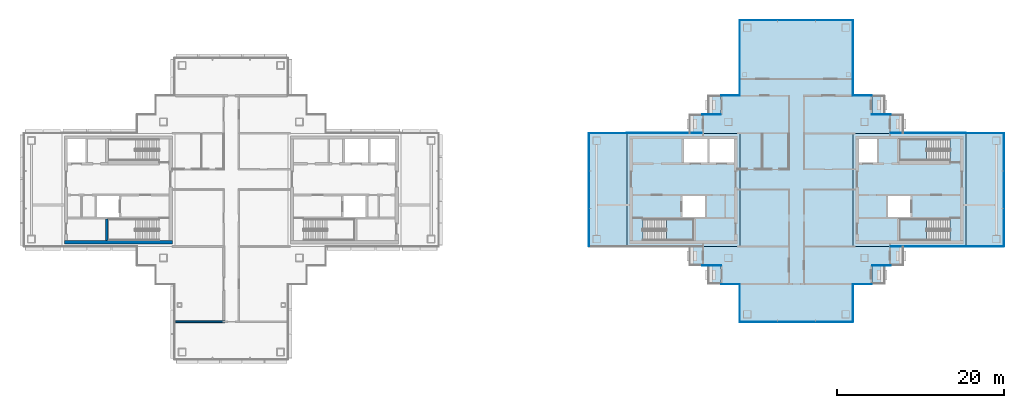
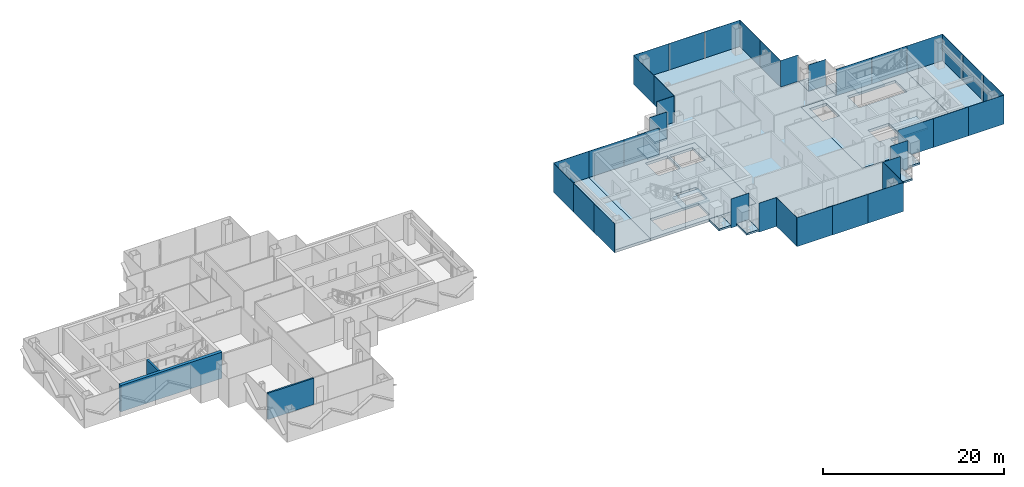
# One storey, part 8 of 17: 35 plates, 16 slabs, 3 walls, 21 elements without a shape of their own.
"""IFC4 building model written with IfcOpenShell, lengths in metres."""

from ifc_helpers import new_model, si_unit, direction, frame, frame_2d, origin, origin_2d, place, context, subcontext, project, spatial, polyline, rectangle, outline, extrude, material, layer, layer_set, type_object, element, aggregate, save


model = new_model("IFC4")

# Units and contexts
model_context = context("Model", 3, precision=1e-05, world=origin(), true_north=direction((0.0, 1.0)))
body_context = subcontext(model_context, "Body", "Model", "MODEL_VIEW")
ifc_project = project(units=[si_unit("LENGTHUNIT", "METRE"), si_unit("AREAUNIT", "SQUARE_METRE"), si_unit("VOLUMEUNIT", "CUBIC_METRE"), si_unit("PLANEANGLEUNIT", "RADIAN"), si_unit("MASSUNIT", "GRAM", prefix="KILO")], contexts=[model_context])

# Site, building, storey
site_placement = place(None, origin())
site = spatial("IfcSite", under=ifc_project, at=site_placement, CompositionType="ELEMENT")
building_placement = place(site_placement, origin())
building = spatial("IfcBuilding", under=site, at=building_placement, Name="Shamsa Quay Exchange Towers", CompositionType="ELEMENT")
storey_placement = place(building_placement, frame((0.0, 0.0, 230.39990234375)))
storey = spatial("IfcBuildingStorey", under=building, at=storey_placement, Name="L55", CompositionType="ELEMENT", Elevation=230.39990234375)

# Slabs
ifc_material_1 = material(Name="Precast concrete C40/50", Category="concrete")
ifc_layer_1 = layer(ifc_material_1, 0.25)
ifc_layer_set_1 = layer_set([ifc_layer_1], Name="BALCONY SLAB 250")
slab_type_1 = type_object("IfcSlabType", Name="BALCONY SLAB 250", PredefinedType="FLOOR", material=ifc_layer_set_1)
slab_1_placement = place(storey_placement, frame((0.0, 0.0, -0.25)))
element("IfcSlab", 1, at=slab_1_placement, inside=storey, type_object=slab_type_1, Name="Balcony T2-PKEN L55", PredefinedType="FLOOR", context=body_context, shape_type="SweptSolid", body=[
    extrude(outline(polyline([(24.75, 11.25), (24.75, 9.0380859375), (23.199951171875, 9.0380859375), (23.199951171875, 11.25), (24.75, 11.25)])), origin(), (0.0, 0.0, 1.0), 0.25),
])
slab_2_placement = place(storey_placement, frame((0.0, 0.0, -0.25)))
element("IfcSlab", 2, at=slab_2_placement, inside=storey, type_object=slab_type_1, Name="Balcony T2-PKEN L55", PredefinedType="FLOOR", context=body_context, shape_type="SweptSolid", body=[
    extrude(outline(polyline([(22.5, 9.0), (22.5, 6.7880859375), (20.949951171875, 6.7880859375), (20.949951171875, 9.0), (22.5, 9.0)])), origin(), (0.0, 0.0, 1.0), 0.25),
])
slab_3_placement = place(storey_placement, frame((0.0, 0.0, -0.25)))
element("IfcSlab", 3, at=slab_3_placement, inside=storey, type_object=slab_type_1, Name="Balcony T2-PKES L55", PredefinedType="FLOOR", context=body_context, shape_type="SweptSolid", body=[
    extrude(outline(polyline([(42.75, 9.0380859375), (42.75, 11.25), (44.300048828125, 11.25), (44.300048828125, 9.0380859375), (42.75, 9.0380859375)])), origin(), (0.0, 0.0, 1.0), 0.25),
])
slab_4_placement = place(storey_placement, frame((0.0, 0.0, -0.25)))
element("IfcSlab", 4, at=slab_4_placement, inside=storey, type_object=slab_type_1, Name="Balcony T2-PKES L55", PredefinedType="FLOOR", context=body_context, shape_type="SweptSolid", body=[
    extrude(outline(polyline([(45.0, 6.7880859375), (45.0, 9.0), (46.550048828125, 9.0), (46.550048828125, 6.7880859375), (45.0, 6.7880859375)])), origin(), (0.0, 0.0, 1.0), 0.25),
])
slab_5_placement = place(storey_placement, frame((0.0, 0.0, -0.25)))
element("IfcSlab", 5, at=slab_5_placement, inside=storey, type_object=slab_type_1, Name="Balcony T2-PKWN L55", PredefinedType="FLOOR", context=body_context, shape_type="SweptSolid", body=[
    extrude(outline(polyline([(22.5, -6.7880859375), (22.5, -9.0), (20.949951171875, -9.0), (20.949951171875, -6.7880859375), (22.5, -6.7880859375)])), origin(), (0.0, 0.0, 1.0), 0.25),
])
slab_6_placement = place(storey_placement, frame((0.0, 0.0, -0.25)))
element("IfcSlab", 6, at=slab_6_placement, inside=storey, type_object=slab_type_1, Name="Balcony T2-PKWN L55", PredefinedType="FLOOR", context=body_context, shape_type="SweptSolid", body=[
    extrude(outline(polyline([(24.75, -9.0380859375), (24.75, -11.25), (23.199951171875, -11.25), (23.199951171875, -9.0380859375), (24.75, -9.0380859375)])), origin(), (0.0, 0.0, 1.0), 0.25),
])
slab_7_placement = place(storey_placement, frame((0.0, 0.0, -0.25)))
element("IfcSlab", 7, at=slab_7_placement, inside=storey, type_object=slab_type_1, Name="Balcony T2-PKWS L55", PredefinedType="FLOOR", context=body_context, shape_type="SweptSolid", body=[
    extrude(outline(polyline([(42.75, -11.25), (42.75, -9.0380859375), (44.300048828125, -9.0380859375), (44.300048828125, -11.25), (42.75, -11.25)])), origin(), (0.0, 0.0, 1.0), 0.25),
])
slab_8_placement = place(storey_placement, frame((0.0, 0.0, -0.25)))
element("IfcSlab", 8, at=slab_8_placement, inside=storey, type_object=slab_type_1, Name="Balcony T2-PKWS L55", PredefinedType="FLOOR", context=body_context, shape_type="SweptSolid", body=[
    extrude(outline(polyline([(45.0, -9.0), (45.0, -6.7880859375), (46.550048828125, -6.7880859375), (46.550048828125, -9.0), (45.0, -9.0)])), origin(), (0.0, 0.0, 1.0), 0.25),
])
ifc_material_2 = material(Name="Concrete C50/60", Category="concrete")
ifc_layer_2 = layer(ifc_material_2, 0.35009765625)
ifc_layer_set_2 = layer_set([ifc_layer_2], Name="CORE FLOOR 350 C50/60")
slab_type_2 = type_object("IfcSlabType", Name="CORE FLOOR 350 C50/60", PredefinedType="FLOOR", material=ifc_layer_set_2)
slab_9_placement = place(storey_placement, frame((0.0, 0.0, -0.349853515625)))
element("IfcSlab", 9, at=slab_9_placement, inside=storey, type_object=slab_type_2, Name="Core floor T2A", PredefinedType="FLOOR", context=body_context, shape_type="SweptSolid", body=[
    extrude(outline(polyline([(13.5, -6.75), (27.0, -6.75), (27.0, 6.75), (13.5, 6.75), (13.5, -6.75)]), holes=[polyline([(15.400634765625, -6.050048828125), (15.400634765625, -3.5), (21.5, -3.5), (21.5, -6.050048828125), (15.400634765625, -6.050048828125)]), polyline([(20.300048828125, 3.25), (20.300048828125, 6.050048828125), (23.10009765625, 6.050048828125), (23.10009765625, 3.25), (20.300048828125, 3.25)]), polyline([(23.35009765625, 3.25), (23.35009765625, 6.050048828125), (26.300048828125, 6.050048828125), (26.300048828125, 3.25), (23.35009765625, 3.25)]), polyline([(20.14990234375, -3.25), (20.14990234375, -0.75), (22.800048828125, -0.75), (22.800048828125, -3.25), (20.14990234375, -3.25)])]), origin(), (0.0, 0.0, 1.0), 0.349853515625),
])
slab_10_placement = place(storey_placement, frame((0.0, 0.0, -0.349853515625)))
element("IfcSlab", 10, at=slab_10_placement, inside=storey, type_object=slab_type_2, Name="Core floor T2B", PredefinedType="FLOOR", context=body_context, shape_type="SweptSolid", body=[
    extrude(outline(polyline([(54.0, -6.75), (54.0, 6.75), (40.5, 6.75), (40.5, -6.75), (54.0, -6.75)]), holes=[polyline([(52.099365234375, -3.5), (52.099365234375, -6.050048828125), (46.0, -6.050048828125), (46.0, -3.5), (52.099365234375, -3.5)]), polyline([(52.099365234375, 6.050048828125), (52.099365234375, 3.5), (46.0, 3.5), (46.0, 6.050048828125), (52.099365234375, 6.050048828125)]), polyline([(43.35009765625, 3.25), (41.199951171875, 3.25), (41.199951171875, 6.050048828125), (43.35009765625, 6.050048828125), (43.35009765625, 3.25)]), polyline([(47.35009765625, -3.25), (44.699951171875, -3.25), (44.699951171875, -0.75), (47.35009765625, -0.75), (47.35009765625, -3.25)])]), origin(), (0.0, 0.0, 1.0), 0.349853515625),
])

# Stair, slab
ifc_material_3 = material(Name="Concrete C40/50", Category="concrete")
stair_type = type_object("IfcStairType", Name="EXIT STAIR 22 RISERS 177 MM", PredefinedType="HALF_TURN_STAIR", material=ifc_material_3)
stair_1_placement = place(storey_placement, origin())
stair_1 = element("IfcStair", 11, at=stair_1_placement, inside=storey, type_object=stair_type, Name="L55 Exit stair ST4", PredefinedType="HALF_TURN_STAIR")
ifc_layer_3 = layer(ifc_material_3, 0.199951171875)
ifc_layer_set_3 = layer_set([ifc_layer_3], Name="CORE STAIR LANDING")
slab_type_3 = type_object("IfcSlabType", Name="CORE STAIR LANDING", PredefinedType="LANDING", material=ifc_layer_set_3)
slab_11_placement = place(storey_placement, frame((0.0, 0.0, 1.75)))
slab_11 = element("IfcSlab", 12, at=slab_11_placement, type_object=slab_type_3, Name="ST4 landing 1", PredefinedType="LANDING", context=body_context, shape_type="SweptSolid", body=[
    extrude(outline(polyline([(18.199951171875, -6.050048828125), (21.5, -6.050048828125), (21.5, -3.5), (18.199951171875, -3.5), (18.199951171875, -6.050048828125)])), origin(), (0.0, 0.0, 1.0), 0.2001953125),
])
aggregate(stair_1, [slab_11])

stair_2_placement = place(storey_placement, origin())
stair_2 = element("IfcStair", 13, at=stair_2_placement, inside=storey, type_object=stair_type, Name="L55 Exit stair ST5", PredefinedType="HALF_TURN_STAIR")
slab_12_placement = place(storey_placement, frame((0.0, 0.0, 1.75)))
slab_12 = element("IfcSlab", 14, at=slab_12_placement, type_object=slab_type_3, Name="ST5 landing 1", PredefinedType="LANDING", context=body_context, shape_type="SweptSolid", body=[
    extrude(outline(polyline([(49.300048828125, -3.5), (46.0, -3.5), (46.0, -6.050048828125), (49.300048828125, -6.050048828125), (49.300048828125, -3.5)])), origin(), (0.0, 0.0, 1.0), 0.2001953125),
])
aggregate(stair_2, [slab_12])

stair_3_placement = place(storey_placement, origin())
stair_3 = element("IfcStair", 15, at=stair_3_placement, inside=storey, type_object=stair_type, Name="L55 Exit stair ST6", PredefinedType="HALF_TURN_STAIR")
slab_13_placement = place(storey_placement, frame((0.0, 0.0, 1.75)))
slab_13 = element("IfcSlab", 16, at=slab_13_placement, type_object=slab_type_3, Name="ST6 landing 1", PredefinedType="LANDING", context=body_context, shape_type="SweptSolid", body=[
    extrude(outline(polyline([(49.300048828125, 6.050048828125), (46.0, 6.050048828125), (46.0, 3.5), (49.300048828125, 3.5), (49.300048828125, 6.050048828125)])), origin(), (0.0, 0.0, 1.0), 0.2001953125),
])
aggregate(stair_3, [slab_13])

# Curtain wall, plate
ifc_material_4 = material(Name="Aluminium EN AW-6063 T6, black anodised", Category="aluminium")
ifc_layer_4 = layer(ifc_material_4, 0.280029296875)
ifc_layer_set_4 = layer_set([ifc_layer_4], Name="CW-1 UNITISED VISION GLASS")
curtain_wall_type_1 = type_object("IfcCurtainWallType", Name="CW-1 UNITISED VISION GLASS", PredefinedType="NOTDEFINED", material=ifc_layer_set_4)
curtain_wall_1_placement = place(storey_placement, origin())
curtain_wall_1 = element("IfcCurtainWall", 17, at=curtain_wall_1_placement, inside=storey, type_object=curtain_wall_type_1, Name="CW1 T2-FLK-V-W L55", PredefinedType="NOTDEFINED")
ifc_material_5 = material(Name="Glass, laminated, dark tinted", Category="glass")
ifc_layer_5 = layer(ifc_material_5, 0.0400390625)
ifc_layer_set_5 = layer_set([ifc_layer_5], Name="CW-1 VISION GLASS 40")
plate_type_1 = type_object("IfcPlateType", Name="CW-1 VISION GLASS 40", PredefinedType="CURTAIN_PANEL", material=ifc_layer_set_5)
plate_1_placement = place(storey_placement, frame((56.25, -6.77001953125, -0.349853515625)))
plate_1 = element("IfcPlate", 18, at=plate_1_placement, type_object=plate_type_1, Name="CW1 glass panel", PredefinedType="CURTAIN_PANEL", context=body_context, shape_type="SweptSolid", body=[
    extrude(rectangle(XDim=4.5, YDim=0.0400390625, at=origin_2d()), origin(), (0.0, 0.0, 1.0), 3.89990234375),
])
aggregate(curtain_wall_1, [plate_1])

# Curtain wall, plates
curtain_wall_2_placement = place(storey_placement, origin())
curtain_wall_2 = element("IfcCurtainWall", 19, at=curtain_wall_2_placement, inside=storey, type_object=curtain_wall_type_1, Name="CW1 T2-END-V- L55", PredefinedType="NOTDEFINED")
plate_2_placement = place(storey_placement, frame((58.52001953125, -4.50244140625, -0.349853515625), z_axis=(0.0, 0.0, 1.0), x_axis=(0.0, 1.0, 0.0)))
plate_2 = element("IfcPlate", 20, at=plate_2_placement, type_object=plate_type_1, Name="CW1 glass panel", PredefinedType="CURTAIN_PANEL", context=body_context, shape_type="SweptSolid", body=[
    extrude(rectangle(XDim=4.4951171875, YDim=0.0400390625, at=origin_2d()), origin(), (0.0, 0.0, 1.0), 3.89990234375),
])
plate_3_placement = place(storey_placement, frame((58.52001953125, 0.0, -0.349853515625), z_axis=(0.0, 0.0, 1.0), x_axis=(0.0, 1.0, 0.0)))
plate_3 = element("IfcPlate", 21, at=plate_3_placement, type_object=plate_type_1, Name="CW1 glass panel", PredefinedType="CURTAIN_PANEL", context=body_context, shape_type="SweptSolid", body=[
    extrude(rectangle(XDim=4.489990234375, YDim=0.0400390625, at=origin_2d()), origin(), (0.0, 0.0, 1.0), 3.89990234375),
])
plate_4_placement = place(storey_placement, frame((58.52001953125, 4.50244140625, -0.349853515625), z_axis=(0.0, 0.0, 1.0), x_axis=(0.0, 1.0, 0.0)))
plate_4 = element("IfcPlate", 22, at=plate_4_placement, type_object=plate_type_1, Name="CW1 glass panel", PredefinedType="CURTAIN_PANEL", context=body_context, shape_type="SweptSolid", body=[
    extrude(rectangle(XDim=4.4951171875, YDim=0.0400390625, at=origin_2d()), origin(), (0.0, 0.0, 1.0), 3.89990234375),
])
aggregate(curtain_wall_2, [plate_2, plate_3, plate_4])

# Curtain wall, plate
curtain_wall_3_placement = place(storey_placement, origin())
curtain_wall_3 = element("IfcCurtainWall", 23, at=curtain_wall_3_placement, inside=storey, type_object=curtain_wall_type_1, Name="CW1 T2-FLK-V-E L55", PredefinedType="NOTDEFINED")
plate_5_placement = place(storey_placement, frame((56.25, 6.77001953125, -0.349853515625), z_axis=(0.0, 0.0, 1.0), x_axis=(-1.0, 0.0, 0.0)))
plate_5 = element("IfcPlate", 24, at=plate_5_placement, type_object=plate_type_1, Name="CW1 glass panel", PredefinedType="CURTAIN_PANEL", context=body_context, shape_type="SweptSolid", body=[
    extrude(rectangle(XDim=4.5, YDim=0.0400390625, at=origin_2d()), origin(), (0.0, 0.0, 1.0), 3.89990234375),
])
aggregate(curtain_wall_3, [plate_5])

# Curtain wall, plates
curtain_wall_4_placement = place(storey_placement, origin())
curtain_wall_4 = element("IfcCurtainWall", 25, at=curtain_wall_4_placement, inside=storey, type_object=curtain_wall_type_1, Name="CW1 T2-FLK-U+S L55", PredefinedType="NOTDEFINED")
plate_6_placement = place(storey_placement, frame((40.52001953125, 13.52587890625, -0.349853515625), z_axis=(0.0, 0.0, 1.0), x_axis=(0.0, 1.0, 0.0)))
plate_6 = element("IfcPlate", 26, at=plate_6_placement, type_object=plate_type_1, Name="CW1 glass panel", PredefinedType="CURTAIN_PANEL", context=body_context, shape_type="SweptSolid", body=[
    extrude(rectangle(XDim=4.47607421875, YDim=0.0400390625, at=origin_2d()), origin(), (0.0, 0.0, 1.0), 3.89990234375),
])
plate_7_placement = place(storey_placement, frame((40.52001953125, 18.011962890625, -0.349853515625), z_axis=(0.0, 0.0, 1.0), x_axis=(0.0, 1.0, 0.0)))
plate_7 = element("IfcPlate", 27, at=plate_7_placement, type_object=plate_type_1, Name="CW1 glass panel", PredefinedType="CURTAIN_PANEL", context=body_context, shape_type="SweptSolid", body=[
    extrude(rectangle(XDim=4.47607421875, YDim=0.0400390625, at=origin_2d()), origin(), (0.0, 0.0, 1.0), 3.89990234375),
])
aggregate(curtain_wall_4, [plate_6, plate_7])

curtain_wall_5_placement = place(storey_placement, origin())
curtain_wall_5 = element("IfcCurtainWall", 28, at=curtain_wall_5_placement, inside=storey, type_object=curtain_wall_type_1, Name="CW1 T2-END-U+ L55", PredefinedType="NOTDEFINED")
plate_8_placement = place(storey_placement, frame((38.25244140625, 20.27001953125, -0.349853515625), z_axis=(0.0, 0.0, 1.0), x_axis=(-1.0, 0.0, 0.0)))
plate_8 = element("IfcPlate", 29, at=plate_8_placement, type_object=plate_type_1, Name="CW1 glass panel", PredefinedType="CURTAIN_PANEL", context=body_context, shape_type="SweptSolid", body=[
    extrude(rectangle(XDim=4.4951171875, YDim=0.0400390625, at=origin_2d()), origin(), (0.0, 0.0, 1.0), 3.89990234375),
])
plate_9_placement = place(storey_placement, frame((33.75, 20.27001953125, -0.349853515625), z_axis=(0.0, 0.0, 1.0), x_axis=(-1.0, 0.0, 0.0)))
plate_9 = element("IfcPlate", 30, at=plate_9_placement, type_object=plate_type_1, Name="CW1 glass panel", PredefinedType="CURTAIN_PANEL", context=body_context, shape_type="SweptSolid", body=[
    extrude(rectangle(XDim=4.489990234375, YDim=0.0400390625, at=origin_2d()), origin(), (0.0, 0.0, 1.0), 3.89990234375),
])
plate_10_placement = place(storey_placement, frame((29.24755859375, 20.27001953125, -0.349853515625), z_axis=(0.0, 0.0, 1.0), x_axis=(-1.0, 0.0, 0.0)))
plate_10 = element("IfcPlate", 31, at=plate_10_placement, type_object=plate_type_1, Name="CW1 glass panel", PredefinedType="CURTAIN_PANEL", context=body_context, shape_type="SweptSolid", body=[
    extrude(rectangle(XDim=4.4951171875, YDim=0.0400390625, at=origin_2d()), origin(), (0.0, 0.0, 1.0), 3.89990234375),
])
aggregate(curtain_wall_5, [plate_8, plate_9, plate_10])

curtain_wall_6_placement = place(storey_placement, origin())
curtain_wall_6 = element("IfcCurtainWall", 32, at=curtain_wall_6_placement, inside=storey, type_object=curtain_wall_type_1, Name="CW1 T2-FLK-U+N L55", PredefinedType="NOTDEFINED")
plate_11_placement = place(storey_placement, frame((26.97998046875, 18.00244140625, -0.349853515625), z_axis=(0.0, 0.0, 1.0), x_axis=(0.0, -1.0, 0.0)))
plate_11 = element("IfcPlate", 33, at=plate_11_placement, type_object=plate_type_1, Name="CW1 glass panel", PredefinedType="CURTAIN_PANEL", context=body_context, shape_type="SweptSolid", body=[
    extrude(rectangle(XDim=4.4951171875, YDim=0.0400390625, at=origin_2d()), origin(), (0.0, 0.0, 1.0), 3.89990234375),
])
plate_12_placement = place(storey_placement, frame((26.97998046875, 13.49755859375, -0.349853515625), z_axis=(0.0, 0.0, 1.0), x_axis=(0.0, -1.0, 0.0)))
plate_12 = element("IfcPlate", 34, at=plate_12_placement, type_object=plate_type_1, Name="CW1 glass panel", PredefinedType="CURTAIN_PANEL", context=body_context, shape_type="SweptSolid", body=[
    extrude(rectangle(XDim=4.4951171875, YDim=0.0400390625, at=origin_2d()), origin(), (0.0, 0.0, 1.0), 3.89990234375),
])
aggregate(curtain_wall_6, [plate_11, plate_12])

# Curtain wall, plate
curtain_wall_7_placement = place(storey_placement, origin())
curtain_wall_7 = element("IfcCurtainWall", 35, at=curtain_wall_7_placement, inside=storey, type_object=curtain_wall_type_1, Name="CW1 T2-FLK-V+E L55", PredefinedType="NOTDEFINED")
plate_13_placement = place(storey_placement, frame((11.25, 6.77001953125, -0.349853515625), z_axis=(0.0, 0.0, 1.0), x_axis=(-1.0, 0.0, 0.0)))
plate_13 = element("IfcPlate", 36, at=plate_13_placement, type_object=plate_type_1, Name="CW1 glass panel", PredefinedType="CURTAIN_PANEL", context=body_context, shape_type="SweptSolid", body=[
    extrude(rectangle(XDim=4.5, YDim=0.0400390625, at=origin_2d()), origin(), (0.0, 0.0, 1.0), 3.89990234375),
])
aggregate(curtain_wall_7, [plate_13])

# Curtain wall, plates
curtain_wall_8_placement = place(storey_placement, origin())
curtain_wall_8 = element("IfcCurtainWall", 37, at=curtain_wall_8_placement, inside=storey, type_object=curtain_wall_type_1, Name="CW1 T2-END-V+ L55", PredefinedType="NOTDEFINED")
plate_14_placement = place(storey_placement, frame((8.97998046875, 4.50244140625, -0.349853515625), z_axis=(0.0, 0.0, 1.0), x_axis=(0.0, -1.0, 0.0)))
plate_14 = element("IfcPlate", 38, at=plate_14_placement, type_object=plate_type_1, Name="CW1 glass panel", PredefinedType="CURTAIN_PANEL", context=body_context, shape_type="SweptSolid", body=[
    extrude(rectangle(XDim=4.4951171875, YDim=0.0400390625, at=origin_2d()), origin(), (0.0, 0.0, 1.0), 3.89990234375),
])
plate_15_placement = place(storey_placement, frame((8.97998046875, 0.0, -0.349853515625), z_axis=(0.0, 0.0, 1.0), x_axis=(0.0, -1.0, 0.0)))
plate_15 = element("IfcPlate", 39, at=plate_15_placement, type_object=plate_type_1, Name="CW1 glass panel", PredefinedType="CURTAIN_PANEL", context=body_context, shape_type="SweptSolid", body=[
    extrude(rectangle(XDim=4.489990234375, YDim=0.0400390625, at=origin_2d()), origin(), (0.0, 0.0, 1.0), 3.89990234375),
])
plate_16_placement = place(storey_placement, frame((8.97998046875, -4.50244140625, -0.349853515625), z_axis=(0.0, 0.0, 1.0), x_axis=(0.0, -1.0, 0.0)))
plate_16 = element("IfcPlate", 40, at=plate_16_placement, type_object=plate_type_1, Name="CW1 glass panel", PredefinedType="CURTAIN_PANEL", context=body_context, shape_type="SweptSolid", body=[
    extrude(rectangle(XDim=4.4951171875, YDim=0.0400390625, at=origin_2d()), origin(), (0.0, 0.0, 1.0), 3.89990234375),
])
aggregate(curtain_wall_8, [plate_14, plate_15, plate_16])

# Curtain wall, plate
curtain_wall_9_placement = place(storey_placement, origin())
curtain_wall_9 = element("IfcCurtainWall", 41, at=curtain_wall_9_placement, inside=storey, type_object=curtain_wall_type_1, Name="CW1 T2-FLK-U-N L55", PredefinedType="NOTDEFINED")
plate_17_placement = place(storey_placement, frame((26.97998046875, -13.51904296875, -0.349853515625), z_axis=(0.0, 0.0, 1.0), x_axis=(0.0, -1.0, 0.0)))
plate_17 = element("IfcPlate", 42, at=plate_17_placement, type_object=plate_type_1, Name="CW1 glass panel", PredefinedType="CURTAIN_PANEL", context=body_context, shape_type="SweptSolid", body=[
    extrude(rectangle(XDim=4.4619140625, YDim=0.0400390625, at=origin_2d()), origin(), (0.0, 0.0, 1.0), 3.89990234375),
])
aggregate(curtain_wall_9, [plate_17])

# Curtain wall, plates
curtain_wall_10_placement = place(storey_placement, origin())
curtain_wall_10 = element("IfcCurtainWall", 43, at=curtain_wall_10_placement, inside=storey, type_object=curtain_wall_type_1, Name="CW1 T2-END-U- L55", PredefinedType="NOTDEFINED")
plate_18_placement = place(storey_placement, frame((29.24755859375, -15.77001953125, -0.349853515625)))
plate_18 = element("IfcPlate", 44, at=plate_18_placement, type_object=plate_type_1, Name="CW1 glass panel", PredefinedType="CURTAIN_PANEL", context=body_context, shape_type="SweptSolid", body=[
    extrude(rectangle(XDim=4.4951171875, YDim=0.0400390625, at=origin_2d()), origin(), (0.0, 0.0, 1.0), 3.89990234375),
])
plate_19_placement = place(storey_placement, frame((33.75, -15.77001953125, -0.349853515625)))
plate_19 = element("IfcPlate", 45, at=plate_19_placement, type_object=plate_type_1, Name="CW1 glass panel", PredefinedType="CURTAIN_PANEL", context=body_context, shape_type="SweptSolid", body=[
    extrude(rectangle(XDim=4.489990234375, YDim=0.0400390625, at=origin_2d()), origin(), (0.0, 0.0, 1.0), 3.89990234375),
])
plate_20_placement = place(storey_placement, frame((38.25244140625, -15.77001953125, -0.349853515625)))
plate_20 = element("IfcPlate", 46, at=plate_20_placement, type_object=plate_type_1, Name="CW1 glass panel", PredefinedType="CURTAIN_PANEL", context=body_context, shape_type="SweptSolid", body=[
    extrude(rectangle(XDim=4.4951171875, YDim=0.0400390625, at=origin_2d()), origin(), (0.0, 0.0, 1.0), 3.89990234375),
])
aggregate(curtain_wall_10, [plate_18, plate_19, plate_20])

# Curtain wall, plate
curtain_wall_11_placement = place(storey_placement, origin())
curtain_wall_11 = element("IfcCurtainWall", 47, at=curtain_wall_11_placement, inside=storey, type_object=curtain_wall_type_1, Name="CW1 T2-FLK-U-S L55", PredefinedType="NOTDEFINED")
plate_21_placement = place(storey_placement, frame((40.52001953125, -13.5, -0.349853515625), z_axis=(0.0, 0.0, 1.0), x_axis=(0.0, 1.0, 0.0)))
plate_21 = element("IfcPlate", 48, at=plate_21_placement, type_object=plate_type_1, Name="CW1 glass panel", PredefinedType="CURTAIN_PANEL", context=body_context, shape_type="SweptSolid", body=[
    extrude(rectangle(XDim=4.5, YDim=0.0400390625, at=origin_2d()), origin(), (0.0, 0.0, 1.0), 3.89990234375),
])
aggregate(curtain_wall_11, [plate_21])

# Curtain wall, plates
ifc_layer_6 = layer(ifc_material_4, 0.303955078125)
ifc_layer_set_6 = layer_set([ifc_layer_6], Name="CW-2 UNITISED OPAQUE SPANDREL GLASS")
curtain_wall_type_2 = type_object("IfcCurtainWallType", Name="CW-2 UNITISED OPAQUE SPANDREL GLASS", PredefinedType="NOTDEFINED", material=ifc_layer_set_6)
curtain_wall_12_placement = place(storey_placement, origin())
curtain_wall_12 = element("IfcCurtainWall", 49, at=curtain_wall_12_placement, inside=storey, type_object=curtain_wall_type_2, Name="CW2 T2-FLK-V-W L55", PredefinedType="NOTDEFINED")
ifc_material_6 = material(Name="Glass, laminated, black enamelled opaque", Category="glass")
ifc_layer_7 = layer(ifc_material_6, 0.0439453125)
ifc_layer_set_7 = layer_set([ifc_layer_7], Name="CW-2 SPANDREL GLASS 44")
plate_type_2 = type_object("IfcPlateType", Name="CW-2 SPANDREL GLASS 44", PredefinedType="CURTAIN_PANEL", material=ifc_layer_set_7)
plate_22_placement = place(storey_placement, frame((47.27587890625, -6.77197265625, -0.349853515625)))
plate_22 = element("IfcPlate", 50, at=plate_22_placement, type_object=plate_type_2, Name="CW2 glass panel", PredefinedType="CURTAIN_PANEL", context=body_context, shape_type="SweptSolid", body=[
    extrude(rectangle(XDim=4.47607421875, YDim=0.0439453125, at=origin_2d()), origin(), (0.0, 0.0, 1.0), 3.89990234375),
])
plate_23_placement = place(storey_placement, frame((51.761962890625, -6.77197265625, -0.349853515625)))
plate_23 = element("IfcPlate", 51, at=plate_23_placement, type_object=plate_type_2, Name="CW2 glass panel", PredefinedType="CURTAIN_PANEL", context=body_context, shape_type="SweptSolid", body=[
    extrude(rectangle(XDim=4.47607421875, YDim=0.0439453125, at=origin_2d()), origin(), (0.0, 0.0, 1.0), 3.89990234375),
])
aggregate(curtain_wall_12, [plate_22, plate_23])

curtain_wall_13_placement = place(storey_placement, origin())
curtain_wall_13 = element("IfcCurtainWall", 52, at=curtain_wall_13_placement, inside=storey, type_object=curtain_wall_type_2, Name="CW2 T2-FLK-V-E L55", PredefinedType="NOTDEFINED")
plate_24_placement = place(storey_placement, frame((51.75244140625, 6.77197265625, -0.349853515625), z_axis=(0.0, 0.0, 1.0), x_axis=(-1.0, 0.0, 0.0)))
plate_24 = element("IfcPlate", 53, at=plate_24_placement, type_object=plate_type_2, Name="CW2 glass panel", PredefinedType="CURTAIN_PANEL", context=body_context, shape_type="SweptSolid", body=[
    extrude(rectangle(XDim=4.4951171875, YDim=0.0439453125, at=origin_2d()), origin(), (0.0, 0.0, 1.0), 3.89990234375),
])
plate_25_placement = place(storey_placement, frame((47.24755859375, 6.77197265625, -0.349853515625), z_axis=(0.0, 0.0, 1.0), x_axis=(-1.0, 0.0, 0.0)))
plate_25 = element("IfcPlate", 54, at=plate_25_placement, type_object=plate_type_2, Name="CW2 glass panel", PredefinedType="CURTAIN_PANEL", context=body_context, shape_type="SweptSolid", body=[
    extrude(rectangle(XDim=4.4951171875, YDim=0.0439453125, at=origin_2d()), origin(), (0.0, 0.0, 1.0), 3.89990234375),
])
aggregate(curtain_wall_13, [plate_24, plate_25])

curtain_wall_14_placement = place(storey_placement, origin())
curtain_wall_14 = element("IfcCurtainWall", 55, at=curtain_wall_14_placement, inside=storey, type_object=curtain_wall_type_2, Name="CW2 T2-FLK-V+E L55", PredefinedType="NOTDEFINED")
plate_26_placement = place(storey_placement, frame((20.22412109375, 6.77197265625, -0.349853515625), z_axis=(0.0, 0.0, 1.0), x_axis=(-1.0, 0.0, 0.0)))
plate_26 = element("IfcPlate", 56, at=plate_26_placement, type_object=plate_type_2, Name="CW2 glass panel", PredefinedType="CURTAIN_PANEL", context=body_context, shape_type="SweptSolid", body=[
    extrude(rectangle(XDim=4.47607421875, YDim=0.0439453125, at=origin_2d()), origin(), (0.0, 0.0, 1.0), 3.89990234375),
])
plate_27_placement = place(storey_placement, frame((15.738037109375, 6.77197265625, -0.349853515625), z_axis=(0.0, 0.0, 1.0), x_axis=(-1.0, 0.0, 0.0)))
plate_27 = element("IfcPlate", 57, at=plate_27_placement, type_object=plate_type_2, Name="CW2 glass panel", PredefinedType="CURTAIN_PANEL", context=body_context, shape_type="SweptSolid", body=[
    extrude(rectangle(XDim=4.47607421875, YDim=0.0439453125, at=origin_2d()), origin(), (0.0, 0.0, 1.0), 3.89990234375),
])
aggregate(curtain_wall_14, [plate_26, plate_27])

ifc_layer_8 = layer(ifc_material_4, 0.256103515625)
ifc_layer_set_8 = layer_set([ifc_layer_8], Name="CW-4 POCKET SERRATED GLAZING")
curtain_wall_type_3 = type_object("IfcCurtainWallType", Name="CW-4 POCKET SERRATED GLAZING", PredefinedType="NOTDEFINED", material=ifc_layer_set_8)
curtain_wall_15_placement = place(storey_placement, origin())
curtain_wall_15 = element("IfcCurtainWall", 58, at=curtain_wall_15_placement, inside=storey, type_object=curtain_wall_type_3, Name="CW4 PKWS L55", PredefinedType="NOTDEFINED")
ifc_layer_9 = layer(ifc_material_5, 0.035888671875)
ifc_layer_set_9 = layer_set([ifc_layer_9], Name="CW-4 POCKET GLASS 36")
plate_type_3 = type_object("IfcPlateType", Name="CW-4 POCKET GLASS 36", PredefinedType="CURTAIN_PANEL", material=ifc_layer_set_9)
plate_28_placement = place(storey_placement, frame((43.89404296875, -9.01806640625, -0.349853515625)))
plate_28 = element("IfcPlate", 59, at=plate_28_placement, type_object=plate_type_3, Name="CW4 glass panel", PredefinedType="CURTAIN_PANEL", context=body_context, shape_type="SweptSolid", body=[
    extrude(rectangle(XDim=2.2119140625, YDim=0.035888671875, at=origin_2d()), origin(), (0.0, 0.0, 1.0), 3.89990234375),
])
plate_29_placement = place(storey_placement, frame((41.64599609375, -11.26806640625, -0.349853515625)))
plate_29 = element("IfcPlate", 60, at=plate_29_placement, type_object=plate_type_3, Name="CW4 glass panel", PredefinedType="CURTAIN_PANEL", context=body_context, shape_type="SweptSolid", body=[
    extrude(rectangle(XDim=2.2080078125, YDim=0.035888671875, at=origin_2d()), origin(), (0.0, 0.0, 1.0), 3.89990234375),
])
aggregate(curtain_wall_15, [plate_28, plate_29])

curtain_wall_16_placement = place(storey_placement, origin())
curtain_wall_16 = element("IfcCurtainWall", 61, at=curtain_wall_16_placement, inside=storey, type_object=curtain_wall_type_3, Name="CW4 PKES L55", PredefinedType="NOTDEFINED")
plate_30_placement = place(storey_placement, frame((43.875, 9.01806640625, -0.349853515625), z_axis=(0.0, 0.0, 1.0), x_axis=(-1.0, 0.0, 0.0)))
plate_30 = element("IfcPlate", 62, at=plate_30_placement, type_object=plate_type_3, Name="CW4 glass panel", PredefinedType="CURTAIN_PANEL", context=body_context, shape_type="SweptSolid", body=[
    extrude(rectangle(XDim=2.25, YDim=0.035888671875, at=origin_2d()), origin(), (0.0, 0.0, 1.0), 3.89990234375),
])
plate_31_placement = place(storey_placement, frame((41.625, 11.26806640625, -0.349853515625), z_axis=(0.0, 0.0, 1.0), x_axis=(-1.0, 0.0, 0.0)))
plate_31 = element("IfcPlate", 63, at=plate_31_placement, type_object=plate_type_3, Name="CW4 glass panel", PredefinedType="CURTAIN_PANEL", context=body_context, shape_type="SweptSolid", body=[
    extrude(rectangle(XDim=2.25, YDim=0.035888671875, at=origin_2d()), origin(), (0.0, 0.0, 1.0), 3.89990234375),
])
aggregate(curtain_wall_16, [plate_30, plate_31])

curtain_wall_17_placement = place(storey_placement, origin())
curtain_wall_17 = element("IfcCurtainWall", 64, at=curtain_wall_17_placement, inside=storey, type_object=curtain_wall_type_3, Name="CW4 PKEN L55", PredefinedType="NOTDEFINED")
plate_32_placement = place(storey_placement, frame((25.85400390625, 11.26806640625, -0.349853515625), z_axis=(0.0, 0.0, 1.0), x_axis=(-1.0, 0.0, 0.0)))
plate_32 = element("IfcPlate", 65, at=plate_32_placement, type_object=plate_type_3, Name="CW4 glass panel", PredefinedType="CURTAIN_PANEL", context=body_context, shape_type="SweptSolid", body=[
    extrude(rectangle(XDim=2.2080078125, YDim=0.035888671875, at=origin_2d()), origin(), (0.0, 0.0, 1.0), 3.89990234375),
])
plate_33_placement = place(storey_placement, frame((23.60595703125, 9.01806640625, -0.349853515625), z_axis=(0.0, 0.0, 1.0), x_axis=(-1.0, 0.0, 0.0)))
plate_33 = element("IfcPlate", 66, at=plate_33_placement, type_object=plate_type_3, Name="CW4 glass panel", PredefinedType="CURTAIN_PANEL", context=body_context, shape_type="SweptSolid", body=[
    extrude(rectangle(XDim=2.2119140625, YDim=0.035888671875, at=origin_2d()), origin(), (0.0, 0.0, 1.0), 3.89990234375),
])
aggregate(curtain_wall_17, [plate_32, plate_33])

curtain_wall_18_placement = place(storey_placement, origin())
curtain_wall_18 = element("IfcCurtainWall", 67, at=curtain_wall_18_placement, inside=storey, type_object=curtain_wall_type_3, Name="CW4 PKWN L55", PredefinedType="NOTDEFINED")
plate_34_placement = place(storey_placement, frame((23.625, -9.01806640625, -0.349853515625)))
plate_34 = element("IfcPlate", 68, at=plate_34_placement, type_object=plate_type_3, Name="CW4 glass panel", PredefinedType="CURTAIN_PANEL", context=body_context, shape_type="SweptSolid", body=[
    extrude(rectangle(XDim=2.25, YDim=0.035888671875, at=origin_2d()), origin(), (0.0, 0.0, 1.0), 3.89990234375),
])
plate_35_placement = place(storey_placement, frame((25.875, -11.26806640625, -0.349853515625)))
plate_35 = element("IfcPlate", 69, at=plate_35_placement, type_object=plate_type_3, Name="CW4 glass panel", PredefinedType="CURTAIN_PANEL", context=body_context, shape_type="SweptSolid", body=[
    extrude(rectangle(XDim=2.25, YDim=0.035888671875, at=origin_2d()), origin(), (0.0, 0.0, 1.0), 3.89990234375),
])
aggregate(curtain_wall_18, [plate_34, plate_35])

# Slabs
ifc_layer_10 = layer(ifc_material_3, 0.35009765625)
ifc_layer_set_10 = layer_set([ifc_layer_10], Name="Flat slab 350")
slab_type_4 = type_object("IfcSlabType", Name="Flat slab 350", PredefinedType="FLOOR", material=ifc_layer_set_10)
slab_14_placement = place(storey_placement, frame((0.0, 0.0, -0.349853515625)))
element("IfcSlab", 70, at=slab_14_placement, inside=storey, type_object=slab_type_4, Name="Flat slab T2 L55 4", PredefinedType="FLOOR", context=body_context, shape_type="SweptSolid", body=[
    extrude(outline(polyline([(9.0, -6.75), (13.5, -6.75), (13.5, 6.75), (9.0, 6.75), (9.0, -6.75)])), origin(), (0.0, 0.0, 1.0), 0.349853515625),
])
slab_15_placement = place(storey_placement, frame((0.0, 0.0, -0.349853515625)))
element("IfcSlab", 71, at=slab_15_placement, inside=storey, type_object=slab_type_4, Name="Flat slab T2 L55 5", PredefinedType="FLOOR", context=body_context, shape_type="SweptSolid", body=[
    extrude(outline(polyline([(45.0, -9.0), (45.0, -6.75), (40.5, -6.75), (40.5, 6.75), (45.0, 6.75), (45.0, 9.0), (42.75, 9.0), (42.75, 11.25), (40.5, 11.25), (40.5, 20.25), (27.0, 20.25), (27.0, 11.25), (24.75, 11.25), (24.75, 9.0), (22.5, 9.0), (22.5, 6.75), (27.0, 6.75), (27.0, -6.75), (22.5, -6.75), (22.5, -9.0), (24.75, -9.0), (24.75, -11.25), (27.0, -11.25), (27.0, -15.75), (40.5, -15.75), (40.5, -11.25), (42.75, -11.25), (42.75, -9.0), (45.0, -9.0)])), origin(), (0.0, 0.0, 1.0), 0.349853515625),
])
slab_16_placement = place(storey_placement, frame((0.0, 0.0, -0.349853515625)))
element("IfcSlab", 72, at=slab_16_placement, inside=storey, type_object=slab_type_4, Name="Flat slab T2 L55 6", PredefinedType="FLOOR", context=body_context, shape_type="SweptSolid", body=[
    extrude(outline(polyline([(58.5, 6.75), (54.0, 6.75), (54.0, -6.75), (58.5, -6.75), (58.5, 6.75)])), origin(), (0.0, 0.0, 1.0), 0.349853515625),
])

# Walls
ifc_material_7 = material(Name="Double-leaf gypsum board partition with acoustic insulation")
ifc_layer_11 = layer(ifc_material_7, 0.199951171875)
ifc_layer_set_11 = layer_set([ifc_layer_11], Name="Acoustic partition 200 mm EI 60")
wall_type_1 = type_object("IfcWallType", Name="Acoustic partition 200 mm EI 60", PredefinedType="PARTITIONING", material=ifc_layer_set_11)
wall_1_placement = place(storey_placement, frame((-40.405029296875, -15.75, 0.0)))
element("IfcWall", 73, at=wall_1_placement, inside=storey, type_object=wall_type_1, Name="Partition T1-R25-W21", PredefinedType="PARTITIONING", context=body_context, shape_type="SweptSolid", body=[
    extrude(rectangle(XDim=5.854736328125, YDim=0.199951171875, at=frame_2d((2.92724609375, 0.0))), origin(), (0.0, 0.0, 1.0), 3.550048828125),
])
ifc_material_8 = material(Name="Concrete C60/75", Category="concrete")
ifc_layer_12 = layer(ifc_material_8, 0.39990234375)
ifc_layer_set_12 = layer_set([ifc_layer_12], Name="CORE WALL 400 C60/75")
wall_type_2 = type_object("IfcWallType", Name="CORE WALL 400 C60/75", PredefinedType="SHEAR", material=ifc_layer_set_12)
wall_2_placement = place(storey_placement, frame((-40.800048828125, -6.25, 0.0), z_axis=(0.0, 0.0, 1.0), x_axis=(-1.0, 0.0, 0.0)))
element("IfcWall", 74, at=wall_2_placement, inside=storey, type_object=wall_type_2, Name="Core wall T1B-R25-PS", PredefinedType="SHEAR", context=body_context, shape_type="SweptSolid", body=[
    extrude(rectangle(XDim=12.89990234375, YDim=0.39990234375, at=frame_2d((6.449951171875, 0.0))), origin(), (0.0, 0.0, 1.0), 3.550048828125),
])
ifc_layer_13 = layer(ifc_material_2, 0.25)
ifc_layer_set_13 = layer_set([ifc_layer_13], Name="SHAFT WALL 250 C50/60")
wall_type_3 = type_object("IfcWallType", Name="SHAFT WALL 250 C50/60", PredefinedType="SHEAR", material=ifc_layer_set_13)
wall_3_placement = place(storey_placement, frame((-48.625, -6.050048828125, 0.0), z_axis=(0.0, 0.0, 1.0), x_axis=(0.0, 1.0, 0.0)))
element("IfcWall", 75, at=wall_3_placement, inside=storey, type_object=wall_type_3, Name="Shaft wall T1B-R25-STF", PredefinedType="SHEAR", context=body_context, shape_type="SweptSolid", body=[
    extrude(rectangle(XDim=2.550048828125, YDim=0.25, at=frame_2d((1.27490234375, 0.0))), origin(), (0.0, 0.0, 1.0), 3.550048828125),
])

save(model, "model.ifc")
